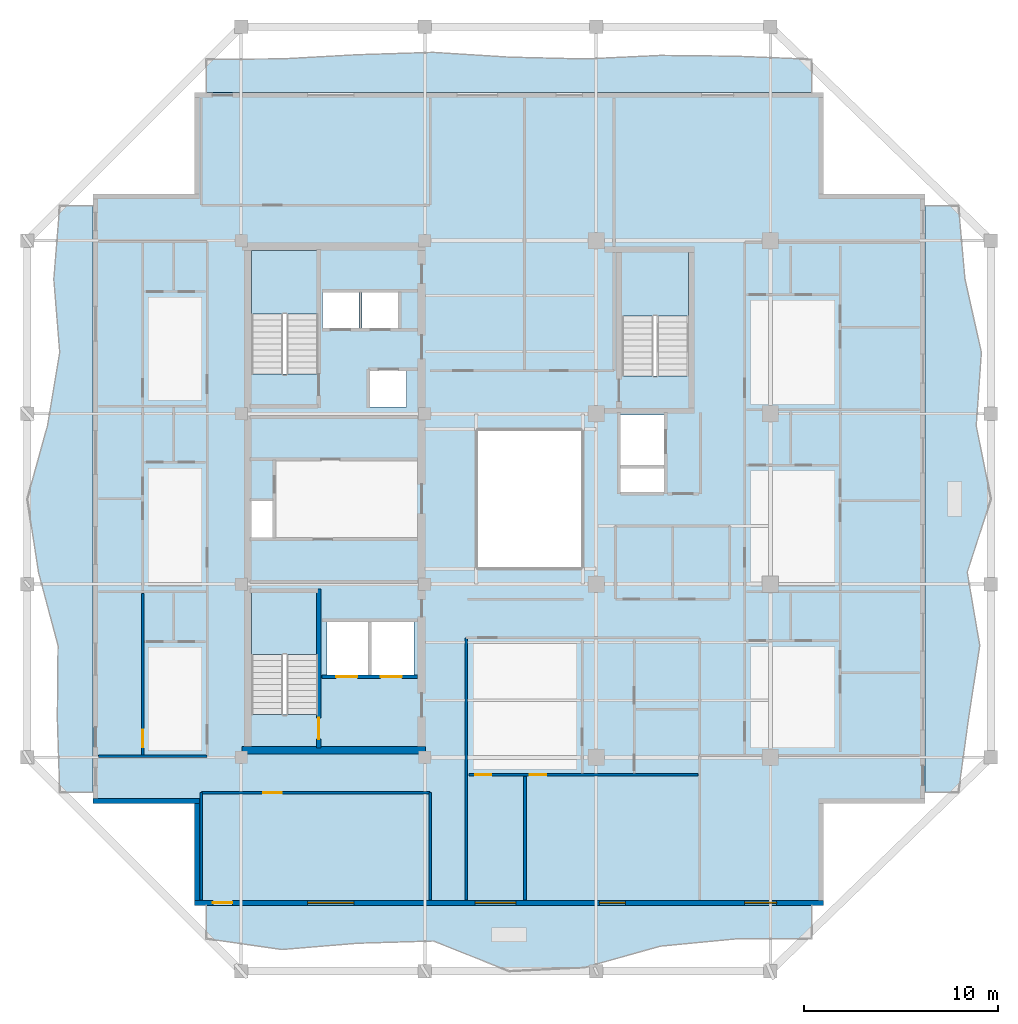
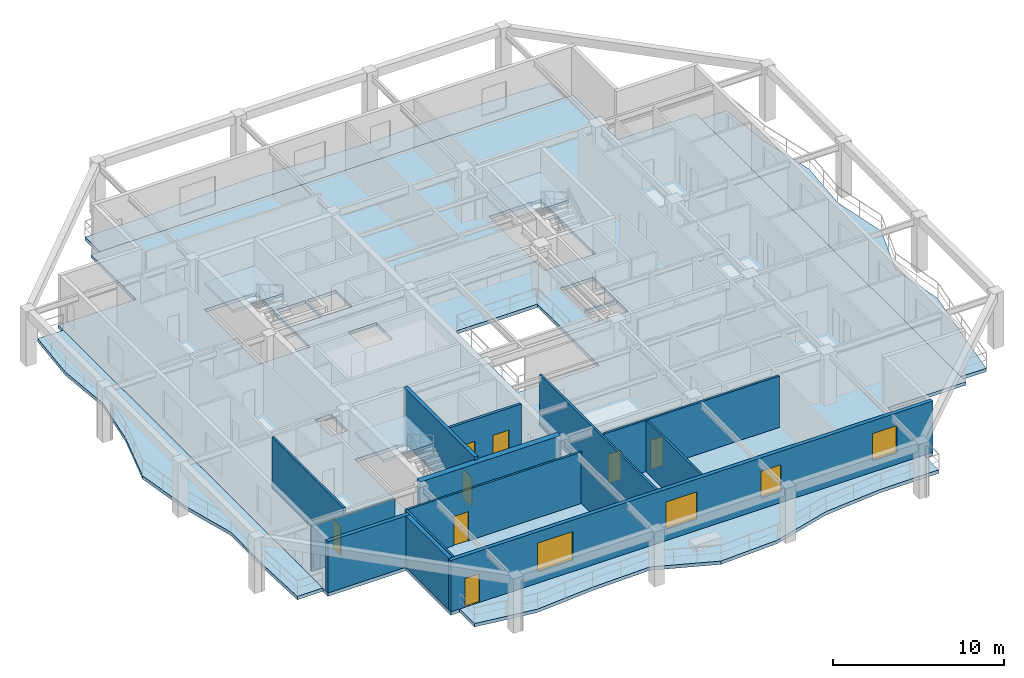
# One storey, part 2 of 12: 14 walls, 8 doors, 8 slabs, 4 windows, 12 openings, 3 elements without a shape of their own.
"""IFC4 building model written with IfcOpenShell, lengths in metres."""

from ifc_helpers import new_model, si_unit, direction, frame, frame_2d, origin, place, context, subcontext, project, spatial, polyline, rectangle, outline, extrude, material, layer, layer_set, type_object, element, fill, aggregate, save


model = new_model("IFC4")

# Units and contexts
model_context = context("Model", 3, precision=1e-05, world=origin(), true_north=direction((0.0, 1.0)))
body_context = subcontext(model_context, "Body", "Model", "MODEL_VIEW")
ifc_project = project(units=[si_unit("LENGTHUNIT", "METRE"), si_unit("AREAUNIT", "SQUARE_METRE"), si_unit("VOLUMEUNIT", "CUBIC_METRE"), si_unit("PLANEANGLEUNIT", "RADIAN"), si_unit("MASSUNIT", "GRAM", prefix="KILO")], contexts=[model_context])

# Site, building, storey
site_placement = place(None, origin())
site = spatial("IfcSite", under=ifc_project, at=site_placement, CompositionType="ELEMENT")
building_placement = place(site_placement, origin())
building = spatial("IfcBuilding", under=site, at=building_placement, Name="Kundavana Baori Tower", CompositionType="ELEMENT")
storey_placement = place(building_placement, frame((0.0, 0.0, 233.60009765625)))
storey = spatial("IfcBuildingStorey", under=building, at=storey_placement, Name="L57", CompositionType="ELEMENT", Elevation=233.60009765625)

# Slab
ifc_material_1 = material(Name="Concrete C40/50", Category="concrete")
ifc_layer_1 = layer(ifc_material_1, 0.239990234375, Name="SLB-FLR-240")
ifc_layer_set_1 = layer_set([ifc_layer_1], Name="Concrete C40/50")
slab_type_1 = type_object("IfcSlabType", Name="SLB-FLR-240", PredefinedType="FLOOR", material=ifc_layer_set_1)
slab_1_placement = place(storey_placement, frame((0.0, 0.0, -0.239990234375)))
element("IfcSlab", 1, at=slab_1_placement, inside=storey, type_object=slab_type_1, Name="L57 Structural Floor Slab", PredefinedType="FLOOR", context=body_context, shape_type="SweptSolid", body=[
    extrude(outline(polyline([(13.050048828125, 7.60009765625), (45.550048828125, 7.60009765625), (45.550048828125, 12.85009765625), (50.800048828125, 12.85009765625), (50.800048828125, 44.35009765625), (45.550048828125, 44.35009765625), (45.550048828125, 49.60009765625), (13.050048828125, 49.60009765625), (13.050048828125, 44.35009765625), (7.800048828125, 44.35009765625), (7.800048828125, 12.85009765625), (13.050048828125, 12.85009765625), (13.050048828125, 7.60009765625)]), holes=[polyline([(19.43994140625, 17.4619140625), (19.43994140625, 23.85009765625), (15.97998046875, 23.85009765625), (15.97998046875, 17.4619140625), (19.43994140625, 17.4619140625)]), polyline([(19.43994140625, 35.06201171875), (19.43994140625, 41.449951171875), (15.97998046875, 41.449951171875), (15.97998046875, 35.06201171875), (19.43994140625, 35.06201171875)]), polyline([(38.580078125, 34.9619140625), (38.580078125, 41.35009765625), (35.1201171875, 41.35009765625), (35.1201171875, 34.9619140625), (38.580078125, 34.9619140625)]), polyline([(19.64990234375, 37.39990234375), (21.550048828125, 37.39990234375), (21.550048828125, 39.300048828125), (19.64990234375, 39.300048828125), (19.64990234375, 37.39990234375)]), polyline([(21.699951171875, 37.39990234375), (23.60009765625, 37.39990234375), (23.60009765625, 39.300048828125), (21.699951171875, 39.300048828125), (21.699951171875, 37.39990234375)]), polyline([(22.10009765625, 33.35009765625), (24.0, 33.35009765625), (24.0, 35.25), (22.10009765625, 35.25), (22.10009765625, 33.35009765625)]), polyline([(19.8798828125, 19.5), (22.02001953125, 19.5), (22.02001953125, 22.25), (19.8798828125, 22.25), (19.8798828125, 19.5)]), polyline([(22.179931640625, 19.5), (24.3798828125, 19.5), (24.3798828125, 22.25), (22.179931640625, 22.25), (22.179931640625, 19.5)]), polyline([(35.050048828125, 30.35009765625), (37.300048828125, 30.35009765625), (37.300048828125, 32.949951171875), (35.050048828125, 32.949951171875), (35.050048828125, 30.35009765625)]), polyline([(15.949951171875, 26.60009765625), (17.080078125, 26.60009765625), (17.080078125, 28.5), (15.949951171875, 28.5), (15.949951171875, 26.60009765625)]), polyline([(35.050048828125, 28.949951171875), (37.300048828125, 28.949951171875), (37.300048828125, 30.199951171875), (35.050048828125, 30.199951171875), (35.050048828125, 28.949951171875)]), polyline([(27.60009765625, 25.0), (33.10009765625, 25.0), (33.10009765625, 32.199951171875), (27.60009765625, 32.199951171875), (27.60009765625, 25.0)])]), origin(), (0.0, 0.0, 1.0), 0.239990234375),
])

# Stair, slab
ifc_material_2 = material(Name="Concrete C40/50", Category="concrete")
stair_type = type_object("IfcStairType", Name="STR-DOG-1650", PredefinedType="HALF_TURN_STAIR", material=ifc_material_2)
stair_1_placement = place(storey_placement, origin())
stair_1 = element("IfcStair", 2, at=stair_1_placement, inside=storey, type_object=stair_type, Name="L57 Protected Exit Stair ST1", PredefinedType="HALF_TURN_STAIR")
ifc_material_3 = material(Name="Concrete C40/50", Category="concrete")
ifc_layer_2 = layer(ifc_material_3, 0.199951171875, Name="SLB-LND-200")
ifc_layer_set_2 = layer_set([ifc_layer_2], Name="Concrete C40/50")
slab_type_2 = type_object("IfcSlabType", Name="SLB-LND-200", PredefinedType="LANDING", material=ifc_layer_set_2)
slab_2_placement = place(storey_placement, frame((0.0, 0.0, 1.75)))
slab_2 = element("IfcSlab", 3, at=slab_2_placement, type_object=slab_type_2, Name="ST1 landing 1", PredefinedType="LANDING", context=body_context, shape_type="SweptSolid", body=[
    extrude(outline(polyline([(19.43994140625, 20.550048828125), (19.43994140625, 23.85009765625), (15.97998046875, 23.85009765625), (15.97998046875, 20.550048828125), (19.43994140625, 20.550048828125)])), origin(), (0.0, 0.0, 1.0), 0.199951171875),
])
aggregate(stair_1, [slab_2])

stair_2_placement = place(storey_placement, origin())
stair_2 = element("IfcStair", 4, at=stair_2_placement, inside=storey, type_object=stair_type, Name="L57 Protected Exit Stair ST2", PredefinedType="HALF_TURN_STAIR")
slab_3_placement = place(storey_placement, frame((0.0, 0.0, 1.75)))
slab_3 = element("IfcSlab", 5, at=slab_3_placement, type_object=slab_type_2, Name="ST2 landing 1", PredefinedType="LANDING", context=body_context, shape_type="SweptSolid", body=[
    extrude(outline(polyline([(19.43994140625, 38.14990234375), (19.43994140625, 41.449951171875), (15.97998046875, 41.449951171875), (15.97998046875, 38.14990234375), (19.43994140625, 38.14990234375)])), origin(), (0.0, 0.0, 1.0), 0.199951171875),
])
aggregate(stair_2, [slab_3])

stair_3_placement = place(storey_placement, origin())
stair_3 = element("IfcStair", 6, at=stair_3_placement, inside=storey, type_object=stair_type, Name="L57 Protected Exit Stair ST3", PredefinedType="HALF_TURN_STAIR")
slab_4_placement = place(storey_placement, frame((0.0, 0.0, 1.75)))
slab_4 = element("IfcSlab", 7, at=slab_4_placement, type_object=slab_type_2, Name="ST3 landing 1", PredefinedType="LANDING", context=body_context, shape_type="SweptSolid", body=[
    extrude(outline(polyline([(38.580078125, 38.050048828125), (38.580078125, 41.35009765625), (35.1201171875, 41.35009765625), (35.1201171875, 38.050048828125), (38.580078125, 38.050048828125)])), origin(), (0.0, 0.0, 1.0), 0.199951171875),
])
aggregate(stair_3, [slab_4])

# Slabs
ifc_material_4 = material(Name="Concrete C40/50", Category="concrete")
ifc_layer_3 = layer(ifc_material_4, 0.239990234375, Name="SLB-LOG-240")
ifc_layer_set_3 = layer_set([ifc_layer_3], Name="Concrete C40/50")
slab_type_3 = type_object("IfcSlabType", Name="SLB-LOG-240", PredefinedType="FLOOR", material=ifc_layer_set_3)
slab_5_placement = place(storey_placement, frame((0.0, 0.0, -0.239990234375)))
element("IfcSlab", 8, at=slab_5_placement, inside=storey, type_object=slab_type_3, Name="L57 Planted Loggia Balcony Slab S", PredefinedType="FLOOR", context=body_context, shape_type="SweptSolid", body=[
    extrude(outline(polyline([(13.64990234375, 7.60009765625), (44.949951171875, 7.60009765625), (44.949951171875, 5.8798828125), (41.0380859375, 5.866943359375), (37.125, 5.491943359375), (33.212890625, 4.39697265625), (29.300048828125, 4.199951171875), (25.387939453125, 5.757080078125), (21.47509765625, 5.64208984375), (17.56201171875, 5.31591796875), (13.64990234375, 5.8798828125), (13.64990234375, 7.60009765625)])), origin(), (0.0, 0.0, 1.0), 0.239990234375),
])
slab_6_placement = place(storey_placement, frame((0.0, 0.0, -0.239990234375)))
element("IfcSlab", 9, at=slab_6_placement, inside=storey, type_object=slab_type_3, Name="L57 Planted Loggia Balcony Slab E", PredefinedType="FLOOR", context=body_context, shape_type="SweptSolid", body=[
    extrude(outline(polyline([(50.800048828125, 13.449951171875), (50.800048828125, 43.75), (52.52001953125, 43.75), (52.85791015625, 39.9619140625), (53.70703125, 36.175048828125), (53.43994140625, 32.387939453125), (54.199951171875, 28.60009765625), (52.97509765625, 24.81201171875), (53.6220703125, 21.02490234375), (53.0400390625, 17.238037109375), (52.52001953125, 13.449951171875), (50.800048828125, 13.449951171875)])), origin(), (0.0, 0.0, 1.0), 0.239990234375),
])
slab_7_placement = place(storey_placement, frame((0.0, 0.0, -0.239990234375)))
element("IfcSlab", 10, at=slab_7_placement, inside=storey, type_object=slab_type_3, Name="L57 Planted Loggia Balcony Slab N", PredefinedType="FLOOR", context=body_context, shape_type="SweptSolid", body=[
    extrude(outline(polyline([(44.949951171875, 49.60009765625), (13.64990234375, 49.60009765625), (13.64990234375, 51.320068359375), (17.56201171875, 51.340087890625), (21.47509765625, 51.556884765625), (25.387939453125, 51.677001953125), (29.300048828125, 51.429931640625), (33.212890625, 51.3369140625), (37.125, 51.52001953125), (41.0380859375, 51.47802734375), (44.949951171875, 51.320068359375), (44.949951171875, 49.60009765625)])), origin(), (0.0, 0.0, 1.0), 0.239990234375),
])
slab_8_placement = place(storey_placement, frame((0.0, 0.0, -0.239990234375)))
element("IfcSlab", 11, at=slab_8_placement, inside=storey, type_object=slab_type_3, Name="L57 Planted Loggia Balcony Slab W", PredefinedType="FLOOR", context=body_context, shape_type="SweptSolid", body=[
    extrude(outline(polyline([(7.800048828125, 43.75), (7.800048828125, 13.449951171875), (6.080078125, 13.449951171875), (5.95703125, 17.238037109375), (5.993896484375, 21.02490234375), (4.98291015625, 24.81201171875), (4.39990234375, 28.60009765625), (5.447998046875, 32.387939453125), (6.0791015625, 36.175048828125), (5.77490234375, 39.9619140625), (6.080078125, 43.75), (7.800048828125, 43.75)])), origin(), (0.0, 0.0, 1.0), 0.239990234375),
])

# Wall
ifc_material_5 = material(Name="Concrete C50/60", Category="concrete")
ifc_layer_4 = layer(ifc_material_5, 0.39990234375, Name="WL-CORE-400")
ifc_layer_set_4 = layer_set([ifc_layer_4], Name="Concrete C50/60")
wall_type_1 = type_object("IfcWallType", Name="WL-CORE-400", PredefinedType="SHEAR", material=ifc_layer_set_4)
wall_1_placement = place(storey_placement, frame((15.5, 15.610107421875, 0.0), z_axis=(0.0, 0.0, 1.0), x_axis=(1.0, 0.0, 0.0)))
element("IfcWall", 12, at=wall_1_placement, inside=storey, type_object=wall_type_1, Name="L57 Offset Core South Shear Wall", PredefinedType="SHEAR", context=body_context, shape_type="SweptSolid", body=[
    extrude(rectangle(XDim=9.47998046875, YDim=0.39990234375, at=frame_2d((4.739990234375, 0.0))), origin(), (0.0, 0.0, 1.0), 3.659912109375),
])

# Wall, opening, door
wall_2_placement = place(storey_placement, frame((19.4599609375, 15.739990234375, 0.0), z_axis=(0.0, 0.0, 1.0), x_axis=(0.0, 1.0, 0.0)))
wall_2 = element("IfcWall", 13, at=wall_2_placement, inside=storey, type_object=wall_type_1, Name="WL-L57-ST1-E", PredefinedType="SHEAR", context=body_context, shape_type="SweptSolid", body=[
    extrude(rectangle(XDim=8.199951171875, YDim=0.239990234375, at=frame_2d((4.10009765625, 0.0))), origin(), (0.0, 0.0, 1.0), 3.89990234375),
])
opening_1_placement = place(wall_2_placement, frame((0.449951171875, 0.0, 0.0)))
opening_1 = element("IfcOpeningElement", 14, at=opening_1_placement, cuts=wall_2, Name="Opening FD-110", PredefinedType="OPENING", context=body_context, shape_type="SweptSolid", body=[
    extrude(rectangle(XDim=1.10009765625, YDim=2.10009765625, at=frame_2d((0.550048828125, 1.050048828125))), frame((0.0, 0.1298828125, 0.0), z_axis=(0.0, -1.0, 0.0), x_axis=(1.0, 0.0, 0.0)), (0.0, 0.0, 1.0), 0.260009765625),
])
ifc_material_6 = material(Name="Galvanised Steel Fire-Rated Door Leaf", Category="steel")
door_type_1 = type_object("IfcDoorType", Name="DR-FD120-1100", OperationType="NOTDEFINED", PredefinedType="DOOR", material=ifc_material_6)
door_1_placement = place(opening_1_placement, origin())
door_1 = element("IfcDoor", 15, at=door_1_placement, inside=storey, type_object=door_type_1, Name="DR-L57-ST1", OperationType="SINGLE_SWING_LEFT", OverallHeight=2.10009765625, OverallWidth=1.10009765625, PredefinedType="DOOR", context=body_context, shape_type="SweptSolid", body=[
    extrude(rectangle(XDim=1.10009765625, YDim=2.10009765625, at=frame_2d((0.550048828125, 1.050048828125))), frame((0.0, 0.02490234375, 0.0), z_axis=(0.0, -1.0, 0.0), x_axis=(1.0, 0.0, 0.0)), (0.0, 0.0, 1.0), 0.050048828125),
])
fill(opening_1, door_1)

# Wall, openings, door, windows
ifc_material_7 = material(Name="Kiln-Fired Terracotta Brick-Slip Masonry on Concrete C40/50", Category="masonry")
ifc_layer_5 = layer(ifc_material_7, 0.260009765625, Name="WL-EXT-BRK-260")
ifc_layer_set_5 = layer_set([ifc_layer_5], Name="Kiln-Fired Terracotta Brick-Slip Masonry on Concrete C40/50")
wall_type_2 = type_object("IfcWallType", Name="WL-EXT-BRK-260", PredefinedType="SOLIDWALL", material=ifc_layer_set_5)
wall_3_placement = place(storey_placement, frame((13.050048828125, 7.72998046875, 0.0), z_axis=(0.0, 0.0, 1.0), x_axis=(1.0, 0.0, 0.0)))
wall_3 = element("IfcWall", 16, at=wall_3_placement, inside=storey, type_object=wall_type_2, Name="L57 Exterior Insulated Facade Wall 01", PredefinedType="SOLIDWALL", context=body_context, shape_type="SweptSolid", body=[
    extrude(rectangle(XDim=32.5, YDim=0.260009765625, at=frame_2d((16.25, 0.0))), origin(), (0.0, 0.0, 1.0), 3.659912109375),
])
opening_2_placement = place(wall_3_placement, frame((0.949951171875, 0.0, 0.0)))
opening_2 = element("IfcOpeningElement", 17, at=opening_2_placement, cuts=wall_3, Name="Opening BD-1", PredefinedType="OPENING", context=body_context, shape_type="SweptSolid", body=[
    extrude(rectangle(XDim=1.0, YDim=2.050048828125, at=frame_2d((0.5, 1.02490234375))), frame((0.0, 0.14013671875, 0.0), z_axis=(0.0, -1.0, 0.0), x_axis=(1.0, 0.0, 0.0)), (0.0, 0.0, 1.0), 0.280029296875),
])
opening_3_placement = place(wall_3_placement, frame((5.8349609375, 0.0, 0.800048828125)))
opening_3 = element("IfcOpeningElement", 18, at=opening_3_placement, cuts=wall_3, Name="Opening W-04", PredefinedType="OPENING", context=body_context, shape_type="SweptSolid", body=[
    extrude(rectangle(XDim=2.39990234375, YDim=2.050048828125, at=frame_2d((1.199951171875, 1.02490234375))), frame((0.0, 0.14013671875, 0.0), z_axis=(0.0, -1.0, 0.0), x_axis=(1.0, 0.0, 0.0)), (0.0, 0.0, 1.0), 0.280029296875),
])
opening_4_placement = place(wall_3_placement, frame((14.501953125, 0.0, 0.800048828125)))
opening_4 = element("IfcOpeningElement", 19, at=opening_4_placement, cuts=wall_3, Name="Opening W-05", PredefinedType="OPENING", context=body_context, shape_type="SweptSolid", body=[
    extrude(rectangle(XDim=2.10009765625, YDim=1.949951171875, at=frame_2d((1.050048828125, 0.97509765625))), frame((0.0, 0.14013671875, 0.0), z_axis=(0.0, -1.0, 0.0), x_axis=(1.0, 0.0, 0.0)), (0.0, 0.0, 1.0), 0.280029296875),
])
opening_5_placement = place(wall_3_placement, frame((20.9130859375, 0.0, 0.800048828125)))
opening_5 = element("IfcOpeningElement", 20, at=opening_5_placement, cuts=wall_3, Name="Opening W-07", PredefinedType="OPENING", context=body_context, shape_type="SweptSolid", body=[
    extrude(rectangle(XDim=1.35009765625, YDim=1.89990234375, at=frame_2d((0.675048828125, 0.949951171875))), frame((0.0, 0.14013671875, 0.0), z_axis=(0.0, -1.0, 0.0), x_axis=(1.0, 0.0, 0.0)), (0.0, 0.0, 1.0), 0.280029296875),
])
opening_6_placement = place(wall_3_placement, frame((28.419921875, 0.0, 0.800048828125)))
opening_6 = element("IfcOpeningElement", 21, at=opening_6_placement, cuts=wall_3, Name="Opening W-08", PredefinedType="OPENING", context=body_context, shape_type="SweptSolid", body=[
    extrude(rectangle(XDim=1.64990234375, YDim=1.949951171875, at=frame_2d((0.824951171875, 0.97509765625))), frame((0.0, 0.14013671875, 0.0), z_axis=(0.0, -1.0, 0.0), x_axis=(1.0, 0.0, 0.0)), (0.0, 0.0, 1.0), 0.280029296875),
])
ifc_material_8 = material(Name="Architectural Patinated Bronze Metalwork")
door_type_2 = type_object("IfcDoorType", Name="DR-EXT-LOG-1000", OperationType="NOTDEFINED", PredefinedType="DOOR", material=ifc_material_8)
door_2_placement = place(opening_2_placement, frame((1.0, 0.0, 0.0), z_axis=(0.0, 0.0, 1.0), x_axis=(-1.0, 0.0, 0.0)))
door_2 = element("IfcDoor", 22, at=door_2_placement, inside=storey, type_object=door_type_2, Name="L57 Loggia Balcony Access Door S", OperationType="SINGLE_SWING_LEFT", OverallHeight=2.050048828125, OverallWidth=1.0, PredefinedType="DOOR", context=body_context, shape_type="SweptSolid", body=[
    extrude(rectangle(XDim=1.0, YDim=2.050048828125, at=frame_2d((0.5, 1.02490234375))), frame((0.0, 0.02490234375, 0.0), z_axis=(0.0, -1.0, 0.0), x_axis=(1.0, 0.0, 0.0)), (0.0, 0.0, 1.0), 0.050048828125),
])
fill(opening_2, door_2)
ifc_material_9 = material(Name="Double-Glazed Solar-Control Low-E Insulated Glass", Category="glass")
window_type_1 = type_object("IfcWindowType", Name="WIN-LOG-1350x1900", PartitioningType="SINGLE_PANEL", PredefinedType="WINDOW", material=ifc_material_9)
window_1_placement = place(opening_5_placement, origin())
window_1 = element("IfcWindow", 23, at=window_1_placement, inside=storey, type_object=window_type_1, Name="L57 Recessed Loggia Window S-3", OverallHeight=1.89990234375, OverallWidth=1.35009765625, PartitioningType="SINGLE_PANEL", PredefinedType="WINDOW", context=body_context, shape_type="SweptSolid", body=[
    extrude(rectangle(XDim=1.35009765625, YDim=1.89990234375, at=frame_2d((0.675048828125, 0.949951171875))), frame((0.0, 0.030029296875, 0.0), z_axis=(0.0, -1.0, 0.0), x_axis=(1.0, 0.0, 0.0)), (0.0, 0.0, 1.0), 0.06005859375),
])
fill(opening_5, window_1)
ifc_material_10 = material(Name="Double-Glazed Solar-Control Low-E Insulated Glass", Category="glass")
window_type_2 = type_object("IfcWindowType", Name="WIN-LOG-1650x1950", PartitioningType="SINGLE_PANEL", PredefinedType="WINDOW", material=ifc_material_10)
window_2_placement = place(opening_6_placement, origin())
window_2 = element("IfcWindow", 24, at=window_2_placement, inside=storey, type_object=window_type_2, Name="L57 Recessed Loggia Window S-4", OverallHeight=1.949951171875, OverallWidth=1.64990234375, PartitioningType="SINGLE_PANEL", PredefinedType="WINDOW", context=body_context, shape_type="SweptSolid", body=[
    extrude(rectangle(XDim=1.64990234375, YDim=1.949951171875, at=frame_2d((0.824951171875, 0.97509765625))), frame((0.0, 0.030029296875, 0.0), z_axis=(0.0, -1.0, 0.0), x_axis=(1.0, 0.0, 0.0)), (0.0, 0.0, 1.0), 0.06005859375),
])
fill(opening_6, window_2)
ifc_material_11 = material(Name="Double-Glazed Solar-Control Low-E Insulated Glass", Category="glass")
window_type_3 = type_object("IfcWindowType", Name="WIN-LOG-2100x1950", PartitioningType="SINGLE_PANEL", PredefinedType="WINDOW", material=ifc_material_11)
window_3_placement = place(opening_4_placement, origin())
window_3 = element("IfcWindow", 25, at=window_3_placement, inside=storey, type_object=window_type_3, Name="L57 Recessed Loggia Window S-2", OverallHeight=1.949951171875, OverallWidth=2.10009765625, PartitioningType="SINGLE_PANEL", PredefinedType="WINDOW", context=body_context, shape_type="SweptSolid", body=[
    extrude(rectangle(XDim=2.10009765625, YDim=1.949951171875, at=frame_2d((1.050048828125, 0.97509765625))), frame((0.0, 0.030029296875, 0.0), z_axis=(0.0, -1.0, 0.0), x_axis=(1.0, 0.0, 0.0)), (0.0, 0.0, 1.0), 0.06005859375),
])
fill(opening_4, window_3)
ifc_material_12 = material(Name="Double-Glazed Solar-Control Low-E Insulated Glass", Category="glass")
window_type_4 = type_object("IfcWindowType", Name="WIN-LOG-2400x2050", PartitioningType="SINGLE_PANEL", PredefinedType="WINDOW", material=ifc_material_12)
window_4_placement = place(opening_3_placement, origin())
window_4 = element("IfcWindow", 26, at=window_4_placement, inside=storey, type_object=window_type_4, Name="L57 Recessed Loggia Window S-1", OverallHeight=2.050048828125, OverallWidth=2.39990234375, PartitioningType="SINGLE_PANEL", PredefinedType="WINDOW", context=body_context, shape_type="SweptSolid", body=[
    extrude(rectangle(XDim=2.39990234375, YDim=2.050048828125, at=frame_2d((1.199951171875, 1.02490234375))), frame((0.0, 0.030029296875, 0.0), z_axis=(0.0, -1.0, 0.0), x_axis=(1.0, 0.0, 0.0)), (0.0, 0.0, 1.0), 0.06005859375),
])
fill(opening_3, window_4)

# Walls
wall_4_placement = place(storey_placement, frame((7.800048828125, 12.97998046875, 0.0), z_axis=(0.0, 0.0, 1.0), x_axis=(1.0, 0.0, 0.0)))
element("IfcWall", 27, at=wall_4_placement, inside=storey, type_object=wall_type_2, Name="L57 Exterior Insulated Facade Wall 11", PredefinedType="SOLIDWALL", context=body_context, shape_type="SweptSolid", body=[
    extrude(rectangle(XDim=5.510009765625, YDim=0.260009765625, at=frame_2d((2.7548828125, 0.0))), origin(), (0.0, 0.0, 1.0), 3.659912109375),
])
wall_5_placement = place(storey_placement, frame((13.179931640625, 12.85009765625, 0.0), z_axis=(0.0, 0.0, 1.0), x_axis=(0.0, -1.0, 0.0)))
element("IfcWall", 28, at=wall_5_placement, inside=storey, type_object=wall_type_2, Name="L57 Exterior Insulated Facade Wall 12", PredefinedType="SOLIDWALL", context=body_context, shape_type="SweptSolid", body=[
    extrude(rectangle(XDim=4.989990234375, YDim=0.260009765625, at=frame_2d((2.4951171875, 0.0))), origin(), (0.0, 0.0, 1.0), 3.659912109375),
])
ifc_material_13 = material(Name="Acoustic Gypsum Plasterboard on Galvanised Steel Studs", Category="steel")
ifc_layer_6 = layer(ifc_material_13, 0.135009765625, Name="WL-PART-135")
ifc_layer_set_6 = layer_set([ifc_layer_6], Name="Acoustic Gypsum Plasterboard on Galvanised Steel Studs")
wall_type_3 = type_object("IfcWallType", Name="WL-PART-135", PredefinedType="PARTITIONING", material=ifc_layer_set_6)
wall_6_placement = place(storey_placement, frame((27.080078125, 7.8798828125, 0.0), z_axis=(0.0, 0.0, 1.0), x_axis=(0.0, 1.0, 0.0)))
element("IfcWall", 29, at=wall_6_placement, inside=storey, type_object=wall_type_3, Name="WL-L57-RSW", PredefinedType="PARTITIONING", context=body_context, shape_type="SweptSolid", body=[
    extrude(rectangle(XDim=13.5400390625, YDim=0.135009765625, at=frame_2d((6.77001953125, 0.0))), origin(), (0.0, 0.0, 1.0), 3.659912109375),
])

# Wall, opening, door
wall_7_placement = place(storey_placement, frame((13.39990234375, 13.419921875, 0.0), z_axis=(0.0, 0.0, 1.0), x_axis=(1.0, 0.0, 0.0)))
wall_7 = element("IfcWall", 30, at=wall_7_placement, inside=storey, type_object=wall_type_3, Name="WL-L57-RSC", PredefinedType="PARTITIONING", context=body_context, shape_type="SweptSolid", body=[
    extrude(rectangle(XDim=11.820068359375, YDim=0.135009765625, at=frame_2d((5.91015625, 0.0))), origin(), (0.0, 0.0, 1.0), 3.659912109375),
])
opening_7_placement = place(wall_7_placement, frame((3.199951171875, 0.0, 0.0)))
opening_7 = element("IfcOpeningElement", 31, at=opening_7_placement, cuts=wall_7, Name="Opening ID-095", PredefinedType="OPENING", context=body_context, shape_type="SweptSolid", body=[
    extrude(rectangle(XDim=0.949951171875, YDim=2.080078125, at=frame_2d((0.47509765625, 1.0400390625))), frame((0.0, 0.07763671875, 0.0), z_axis=(0.0, -1.0, 0.0), x_axis=(1.0, 0.0, 0.0)), (0.0, 0.0, 1.0), 0.155029296875),
])
ifc_material_14 = material(Name="Engineered Teak Solid-Core Timber Veneer", Category="wood")
door_type_3 = type_object("IfcDoorType", Name="DR-INT-950", OperationType="NOTDEFINED", PredefinedType="DOOR", material=ifc_material_14)
door_3_placement = place(opening_7_placement, frame((0.949951171875, 0.0, 0.0), z_axis=(0.0, 0.0, 1.0), x_axis=(-1.0, 0.0, 0.0)))
door_3 = element("IfcDoor", 32, at=door_3_placement, inside=storey, type_object=door_type_3, Name="DR-L57-RMSW", OperationType="SINGLE_SWING_LEFT", OverallHeight=2.080078125, OverallWidth=0.949951171875, PredefinedType="DOOR", context=body_context, shape_type="SweptSolid", body=[
    extrude(rectangle(XDim=0.949951171875, YDim=2.080078125, at=frame_2d((0.47509765625, 1.0400390625))), frame((0.0, 0.02490234375, 0.0), z_axis=(0.0, -1.0, 0.0), x_axis=(1.0, 0.0, 0.0)), (0.0, 0.0, 1.0), 0.050048828125),
])
fill(opening_7, door_3)

# Walls
wall_8_placement = place(storey_placement, frame((13.39990234375, 7.8798828125, 0.0), z_axis=(0.0, 0.0, 1.0), x_axis=(0.0, 1.0, 0.0)))
element("IfcWall", 33, at=wall_8_placement, inside=storey, type_object=wall_type_3, Name="WL-L57-RSCW", PredefinedType="PARTITIONING", context=body_context, shape_type="SweptSolid", body=[
    extrude(rectangle(XDim=5.5400390625, YDim=0.135009765625, at=frame_2d((2.77001953125, 0.0))), origin(), (0.0, 0.0, 1.0), 3.659912109375),
])
wall_9_placement = place(storey_placement, frame((25.219970703125, 7.8798828125, 0.0), z_axis=(0.0, 0.0, 1.0), x_axis=(0.0, 1.0, 0.0)))
element("IfcWall", 34, at=wall_9_placement, inside=storey, type_object=wall_type_3, Name="WL-L57-RSCE", PredefinedType="PARTITIONING", context=body_context, shape_type="SweptSolid", body=[
    extrude(rectangle(XDim=5.5400390625, YDim=0.135009765625, at=frame_2d((2.77001953125, 0.0))), origin(), (0.0, 0.0, 1.0), 3.2099609375),
])
wall_10_placement = place(storey_placement, frame((8.080078125, 15.300048828125, 0.0), z_axis=(0.0, 0.0, 1.0), x_axis=(1.0, 0.0, 0.0)))
element("IfcWall", 35, at=wall_10_placement, inside=storey, type_object=wall_type_3, Name="WL-L57-RWS", PredefinedType="PARTITIONING", context=body_context, shape_type="SweptSolid", body=[
    extrude(rectangle(XDim=5.619873046875, YDim=0.135009765625, at=frame_2d((2.81005859375, 0.0))), origin(), (0.0, 0.0, 1.0), 3.2099609375),
])

# Wall, opening, door
wall_11_placement = place(storey_placement, frame((10.3701171875, 15.3798828125, 0.0), z_axis=(0.0, 0.0, 1.0), x_axis=(0.0, 1.0, 0.0)))
wall_11 = element("IfcWall", 36, at=wall_11_placement, inside=storey, type_object=wall_type_3, Name="WL-L57-W1-VT", PredefinedType="PARTITIONING", context=body_context, shape_type="SweptSolid", body=[
    extrude(rectangle(XDim=8.340087890625, YDim=0.135009765625, at=frame_2d((4.169921875, 0.0))), origin(), (0.0, 0.0, 1.0), 3.659912109375),
])
opening_8_placement = place(wall_11_placement, frame((0.39990234375, 0.0, 0.0)))
opening_8 = element("IfcOpeningElement", 37, at=opening_8_placement, cuts=wall_11, Name="Opening ID-090", PredefinedType="OPENING", context=body_context, shape_type="SweptSolid", body=[
    extrude(rectangle(XDim=0.89990234375, YDim=2.080078125, at=frame_2d((0.449951171875, 1.0400390625))), frame((0.0, 0.07763671875, 0.0), z_axis=(0.0, -1.0, 0.0), x_axis=(1.0, 0.0, 0.0)), (0.0, 0.0, 1.0), 0.155029296875),
])
ifc_material_15 = material(Name="Engineered Teak Solid-Core Timber Veneer", Category="wood")
door_type_4 = type_object("IfcDoorType", Name="DR-INT-900", OperationType="NOTDEFINED", PredefinedType="DOOR", material=ifc_material_15)
door_4_placement = place(opening_8_placement, frame((0.89990234375, 0.0, 0.0), z_axis=(0.0, 0.0, 1.0), x_axis=(-1.0, 0.0, 0.0)))
door_4 = element("IfcDoor", 38, at=door_4_placement, inside=storey, type_object=door_type_4, Name="DR-L57-W1-B1", OperationType="SINGLE_SWING_LEFT", OverallHeight=2.080078125, OverallWidth=0.89990234375, PredefinedType="DOOR", context=body_context, shape_type="SweptSolid", body=[
    extrude(rectangle(XDim=0.89990234375, YDim=2.080078125, at=frame_2d((0.449951171875, 1.0400390625))), frame((0.0, 0.02490234375, 0.0), z_axis=(0.0, -1.0, 0.0), x_axis=(1.0, 0.0, 0.0)), (0.0, 0.0, 1.0), 0.050048828125),
])
fill(opening_8, door_4)

# Wall, openings, doors
wall_12_placement = place(storey_placement, frame((27.239990234375, 14.341064453125, 0.0), z_axis=(0.0, 0.0, 1.0), x_axis=(1.0, 0.0, 0.0)))
wall_12 = element("IfcWall", 39, at=wall_12_placement, inside=storey, type_object=wall_type_3, Name="WL-L57-S1-HZ", PredefinedType="PARTITIONING", context=body_context, shape_type="SweptSolid", body=[
    extrude(rectangle(XDim=11.830078125, YDim=0.135009765625, at=frame_2d((5.9150390625, 0.0))), origin(), (0.0, 0.0, 1.0), 3.659912109375),
])
opening_9_placement = place(wall_12_placement, frame((0.300048828125, 0.0, 0.0)))
opening_9 = element("IfcOpeningElement", 40, at=opening_9_placement, cuts=wall_12, Name="Opening ID-085", PredefinedType="OPENING", context=body_context, shape_type="SweptSolid", body=[
    extrude(rectangle(XDim=0.85009765625, YDim=2.080078125, at=frame_2d((0.425048828125, 1.0400390625))), frame((0.0, 0.07763671875, 0.0), z_axis=(0.0, -1.0, 0.0), x_axis=(1.0, 0.0, 0.0)), (0.0, 0.0, 1.0), 0.155029296875),
])
opening_10_placement = place(wall_12_placement, frame((3.135009765625, 0.0, 0.0)))
opening_10 = element("IfcOpeningElement", 41, at=opening_10_placement, cuts=wall_12, Name="Opening ID-085", PredefinedType="OPENING", context=body_context, shape_type="SweptSolid", body=[
    extrude(rectangle(XDim=0.85009765625, YDim=2.080078125, at=frame_2d((0.425048828125, 1.0400390625))), frame((0.0, 0.07763671875, 0.0), z_axis=(0.0, -1.0, 0.0), x_axis=(1.0, 0.0, 0.0)), (0.0, 0.0, 1.0), 0.155029296875),
])
ifc_material_16 = material(Name="Engineered Teak Solid-Core Timber Veneer", Category="wood")
door_type_5 = type_object("IfcDoorType", Name="DR-INT-850", OperationType="NOTDEFINED", PredefinedType="DOOR", material=ifc_material_16)
door_5_placement = place(opening_9_placement, frame((0.85009765625, 0.0, 0.0), z_axis=(0.0, 0.0, 1.0), x_axis=(-1.0, 0.0, 0.0)))
door_5 = element("IfcDoor", 42, at=door_5_placement, inside=storey, type_object=door_type_5, Name="DR-L57-S1-B1", OperationType="SINGLE_SWING_LEFT", OverallHeight=2.080078125, OverallWidth=0.85009765625, PredefinedType="DOOR", context=body_context, shape_type="SweptSolid", body=[
    extrude(rectangle(XDim=0.85009765625, YDim=2.080078125, at=frame_2d((0.425048828125, 1.0400390625))), frame((0.0, 0.02490234375, 0.0), z_axis=(0.0, -1.0, 0.0), x_axis=(1.0, 0.0, 0.0)), (0.0, 0.0, 1.0), 0.050048828125),
])
fill(opening_9, door_5)
door_6_placement = place(opening_10_placement, frame((0.85009765625, 0.0, 0.0), z_axis=(0.0, 0.0, 1.0), x_axis=(-1.0, 0.0, 0.0)))
door_6 = element("IfcDoor", 43, at=door_6_placement, inside=storey, type_object=door_type_5, Name="DR-L57-S1-B2", OperationType="SINGLE_SWING_RIGHT", OverallHeight=2.080078125, OverallWidth=0.85009765625, PredefinedType="DOOR", context=body_context, shape_type="SweptSolid", body=[
    extrude(rectangle(XDim=0.85009765625, YDim=2.080078125, at=frame_2d((0.425048828125, 1.0400390625))), frame((0.0, 0.02490234375, 0.0), z_axis=(0.0, -1.0, 0.0), x_axis=(1.0, 0.0, 0.0)), (0.0, 0.0, 1.0), 0.050048828125),
])
fill(opening_10, door_6)

# Wall
wall_13_placement = place(storey_placement, frame((30.125, 7.8798828125, 0.0), z_axis=(0.0, 0.0, 1.0), x_axis=(0.0, 1.0, 0.0)))
element("IfcWall", 44, at=wall_13_placement, inside=storey, type_object=wall_type_3, Name="WL-L57-S1-BDV", PredefinedType="PARTITIONING", context=body_context, shape_type="SweptSolid", body=[
    extrude(rectangle(XDim=6.381103515625, YDim=0.135009765625, at=frame_2d((3.1904296875, 0.0))), origin(), (0.0, 0.0, 1.0), 3.659912109375),
])

# Wall, openings, doors
ifc_material_17 = material(Name="Autoclaved Aerated Concrete Blockwork Masonry", Category="masonry")
ifc_layer_7 = layer(ifc_material_17, 0.179931640625, Name="WL-SHAFT-180")
ifc_layer_set_7 = layer_set([ifc_layer_7], Name="Autoclaved Aerated Concrete Blockwork Masonry")
wall_type_4 = type_object("IfcWallType", Name="WL-SHAFT-180", PredefinedType="SOLIDWALL", material=ifc_layer_set_7)
wall_14_placement = place(storey_placement, frame((19.639892578125, 19.419921875, 0.0), z_axis=(0.0, 0.0, 1.0), x_axis=(1.0, 0.0, 0.0)))
wall_14 = element("IfcWall", 45, at=wall_14_placement, inside=storey, type_object=wall_type_4, Name="WL-L57-FFL-S", PredefinedType="SOLIDWALL", context=body_context, shape_type="SweptSolid", body=[
    extrude(rectangle(XDim=4.940185546875, YDim=0.179931640625, at=frame_2d((2.47021484375, 0.0))), origin(), (0.0, 0.0, 1.0), 3.659912109375),
])
opening_11_placement = place(wall_14_placement, frame((0.719970703125, 0.0, 0.0)))
opening_11 = element("IfcOpeningElement", 46, at=opening_11_placement, cuts=wall_14, Name="Opening LD-110", PredefinedType="OPENING", context=body_context, shape_type="SweptSolid", body=[
    extrude(rectangle(XDim=1.10009765625, YDim=2.10009765625, at=frame_2d((0.550048828125, 1.050048828125))), frame((0.0, 0.10009765625, 0.0), z_axis=(0.0, -1.0, 0.0), x_axis=(1.0, 0.0, 0.0)), (0.0, 0.0, 1.0), 0.199951171875),
])
opening_12_placement = place(wall_14_placement, frame((3.02001953125, 0.0, 0.0)))
opening_12 = element("IfcOpeningElement", 47, at=opening_12_placement, cuts=wall_14, Name="Opening LD-110", PredefinedType="OPENING", context=body_context, shape_type="SweptSolid", body=[
    extrude(rectangle(XDim=1.10009765625, YDim=2.10009765625, at=frame_2d((0.550048828125, 1.050048828125))), frame((0.0, 0.10009765625, 0.0), z_axis=(0.0, -1.0, 0.0), x_axis=(1.0, 0.0, 0.0)), (0.0, 0.0, 1.0), 0.199951171875),
])
ifc_material_18 = material(Name="Galvanised Steel Fire-Rated Door Leaf", Category="steel")
door_type_6 = type_object("IfcDoorType", Name="DR-SLIDE-LD1100", OperationType="NOTDEFINED", PredefinedType="DOOR", material=ifc_material_18)
door_7_placement = place(opening_11_placement, origin())
door_7 = element("IfcDoor", 48, at=door_7_placement, inside=storey, type_object=door_type_6, Name="DR-L57-LD-FFL-1", OperationType="DOUBLE_DOOR_SLIDING", OverallHeight=2.10009765625, OverallWidth=1.10009765625, PredefinedType="DOOR", context=body_context, shape_type="SweptSolid", body=[
    extrude(rectangle(XDim=1.10009765625, YDim=2.10009765625, at=frame_2d((0.550048828125, 1.050048828125))), frame((0.0, 0.02490234375, 0.0), z_axis=(0.0, -1.0, 0.0), x_axis=(1.0, 0.0, 0.0)), (0.0, 0.0, 1.0), 0.050048828125),
])
fill(opening_11, door_7)
door_8_placement = place(opening_12_placement, origin())
door_8 = element("IfcDoor", 49, at=door_8_placement, inside=storey, type_object=door_type_6, Name="DR-L57-LD-FFL-2", OperationType="DOUBLE_DOOR_SLIDING", OverallHeight=2.10009765625, OverallWidth=1.10009765625, PredefinedType="DOOR", context=body_context, shape_type="SweptSolid", body=[
    extrude(rectangle(XDim=1.10009765625, YDim=2.10009765625, at=frame_2d((0.550048828125, 1.050048828125))), frame((0.0, 0.02490234375, 0.0), z_axis=(0.0, -1.0, 0.0), x_axis=(1.0, 0.0, 0.0)), (0.0, 0.0, 1.0), 0.050048828125),
])
fill(opening_12, door_8)

save(model, "model.ifc")
